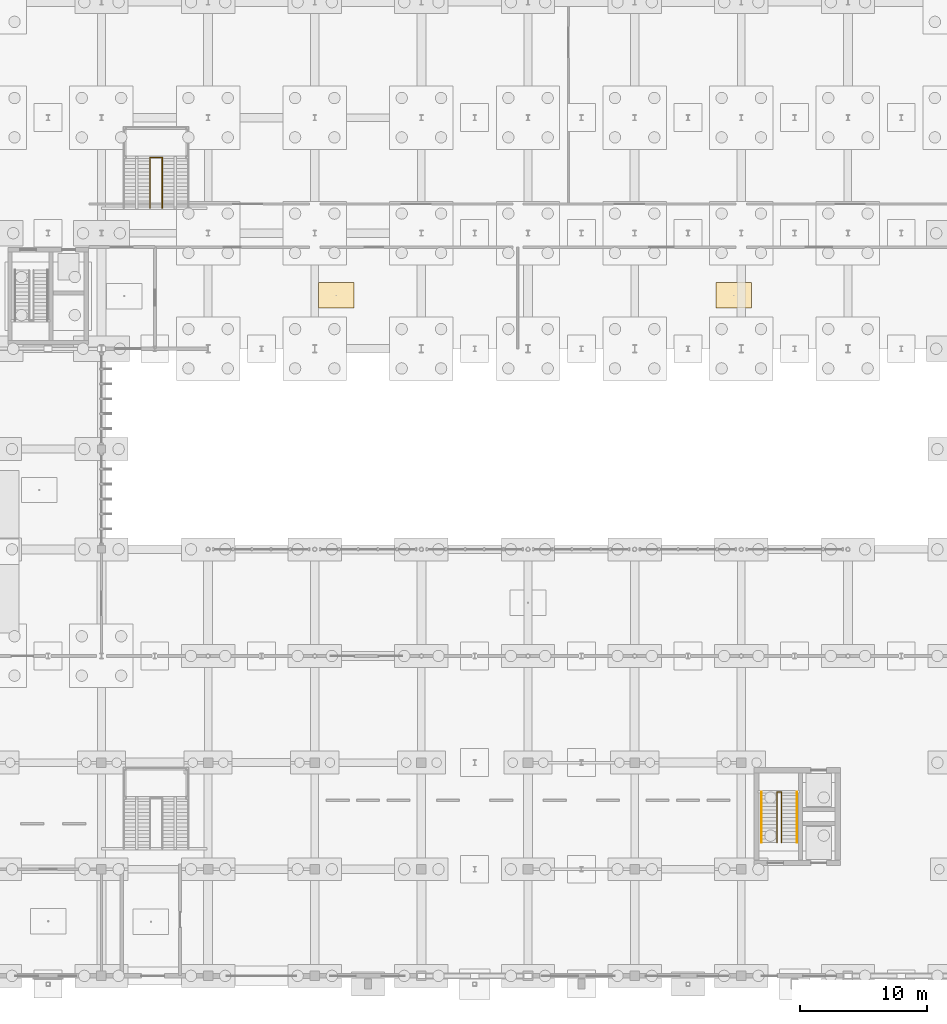
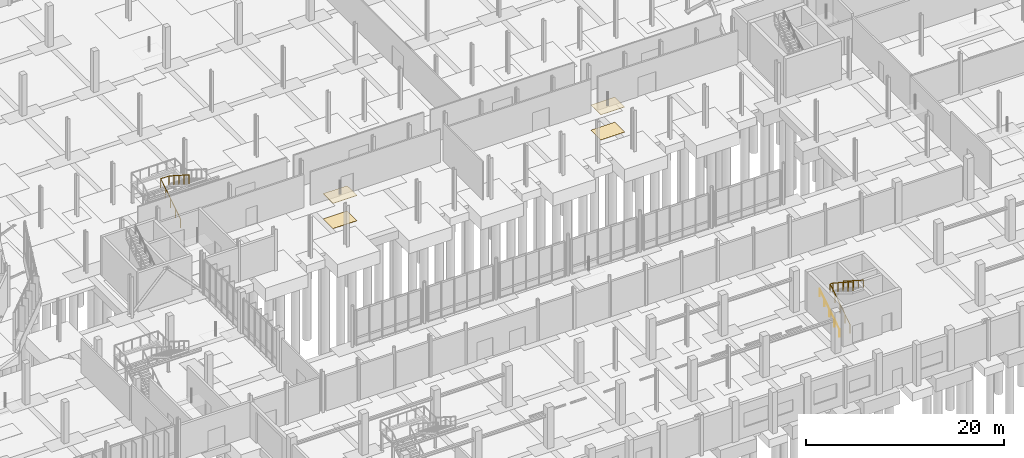
# One storey, part 111 of 119: 4 coverings, 4 railings.
"""IFC4 building model written with IfcOpenShell, lengths in metres."""

import ifcopenshell
import ifcopenshell.guid

model = None  # the IFC model being written
_history = None  # IfcOwnerHistory: only IFC2X3 demands one
_inside = {}  # id of a spatial element -> (the spatial element, [elements in it])
_under = {}  # id of a project, library or spatial element -> (it, [spatial elements below it])
_declared = {}  # id of a project -> (the project, [libraries it declares])
_typed = {}  # id of a type object -> (the type object, [elements of that type])
_made_of = {}  # id of a material, layer set ... -> (it, [elements and type objects made of it])


def new_model(schema):
    """Start an empty IFC model of exactly this schema.

    Asked for "IFC4X3", IfcOpenShell would pick the latest addendum, in which some entities
    have other attributes; the version numbers below select the first issue.
    IFC2X3 requires an IfcOwnerHistory on every rooted entity: one is made here for all.
    """
    global model, _history
    if schema == "IFC4X3":
        model = ifcopenshell.file(schema_version=(4, 3, 0, 0))
    else:
        model = ifcopenshell.file(schema=schema)
    _inside.clear()
    _under.clear()
    _declared.clear()
    _typed.clear()
    _made_of.clear()
    _history = None
    if model.schema == "IFC2X3":
        org = make("IfcOrganization", Name="unknown")
        user = make(
            "IfcPersonAndOrganization",
            ThePerson=make("IfcPerson", FamilyName="unknown"),
            TheOrganization=org,
        )
        app = make(
            "IfcApplication",
            ApplicationDeveloper=org,
            Version="unknown",
            ApplicationFullName="unknown",
            ApplicationIdentifier="unknown",
        )
        _history = make(
            "IfcOwnerHistory",
            OwningUser=user,
            OwningApplication=app,
            ChangeAction="ADDED",
            CreationDate=0,
        )
    return model


def make(cls, **values):
    """One entity of the class cls with the attributes given. An attribute that is None is left unset."""
    return model.create_entity(
        cls, **{name: value for name, value in values.items() if value is not None}
    )


def rooted(cls, **values):
    """An entity with a GlobalId (a new one), such as an element, a storey or a relation."""
    return make(cls, GlobalId=ifcopenshell.guid.new(), OwnerHistory=_history, **values)


def si_unit(unit_type, name, prefix=None):
    """IfcSIUnit, for example si_unit("LENGTHUNIT", "METRE", prefix="MILLI")."""
    return make("IfcSIUnit", UnitType=unit_type, Prefix=prefix, Name=name)


def derived_unit(unit_type, elements):
    """IfcDerivedUnit: a product of units, each with its exponent."""
    return make(
        "IfcDerivedUnit",
        Elements=[
            make("IfcDerivedUnitElement", Unit=unit, Exponent=power)
            for unit, power in elements
        ],
        UnitType=unit_type,
    )


def assignment(units):
    """IfcUnitAssignment: the units of a project."""
    return None if units is None else make("IfcUnitAssignment", Units=units)


def point(xyz):
    """IfcCartesianPoint."""
    return None if xyz is None else make("IfcCartesianPoint", Coordinates=xyz)


def direction(xyz):
    """IfcDirection."""
    return None if xyz is None else make("IfcDirection", DirectionRatios=xyz)


def frame(location, z_axis=None, x_axis=None):
    """IfcAxis2Placement3D, a coordinate frame: its origin and axes. An axis left out is left unset."""
    return make(
        "IfcAxis2Placement3D",
        Location=point(location),
        Axis=direction(z_axis),
        RefDirection=direction(x_axis),
    )


def frame_2d(location, x_axis=None):
    """IfcAxis2Placement2D, a coordinate frame in the plane: its origin and x axis."""
    return make(
        "IfcAxis2Placement2D", Location=point(location), RefDirection=direction(x_axis)
    )


def origin():
    """The frame at (0, 0, 0) with its axes left unset."""
    return frame((0.0, 0.0, 0.0))


def origin_2d():
    """The frame at (0, 0) in the plane with its x axis left unset."""
    return frame_2d((0.0, 0.0))


def place(relative_to, where):
    """IfcLocalPlacement: puts the frame where relative to a parent placement (None: the world)."""
    return make(
        "IfcLocalPlacement", PlacementRelTo=relative_to, RelativePlacement=where
    )


def context(
    kind, dimensions, precision=None, world=None, true_north=None, identifier=None
):
    """IfcGeometricRepresentationContext, for example the 3D "Model" context."""
    return make(
        "IfcGeometricRepresentationContext",
        ContextIdentifier=identifier,
        ContextType=kind,
        CoordinateSpaceDimension=dimensions,
        Precision=precision,
        WorldCoordinateSystem=world,
        TrueNorth=true_north,
    )


def subcontext(parent, identifier, kind, view, scale=None):
    """IfcGeometricRepresentationSubContext, for example "Body" below "Model"."""
    return make(
        "IfcGeometricRepresentationSubContext",
        ContextIdentifier=identifier,
        ContextType=kind,
        ParentContext=parent,
        TargetScale=scale,
        TargetView=view,
    )


def project(units=None, contexts=None):
    """IfcProject with its units and contexts."""
    return rooted(
        "IfcProject",
        Name="project",
        RepresentationContexts=contexts,
        UnitsInContext=assignment(units),
    )


def spatial(cls, under=None, at=None, **own):
    """A site, building, storey or space (cls), placed at a placement, below another one or the project."""
    s = rooted(cls, ObjectPlacement=at, **own)
    if under is not None:
        _under.setdefault(under.id(), (under, []))[1].append(s)
    return s


def polyline(points):
    """IfcPolyline through the points."""
    return make("IfcPolyline", Points=[point(p) for p in points])


def profile(cls, at=None, kind="AREA", **sizes):
    """A parametric profile (cls). Its sizes go by their IFC names, for example OverallWidth=200.0."""
    return make(cls, ProfileType=kind, Position=at, **sizes)


def circle(**sizes):
    """IfcCircleProfileDef."""
    return profile("IfcCircleProfileDef", **sizes)


def outline(outer, holes=None, kind="AREA"):
    """IfcArbitraryClosedProfileDef: a profile drawn as a closed curve; with holes, ...WithVoids."""
    if holes is None:
        return make("IfcArbitraryClosedProfileDef", ProfileType=kind, OuterCurve=outer)
    return make(
        "IfcArbitraryProfileDefWithVoids",
        ProfileType=kind,
        OuterCurve=outer,
        InnerCurves=holes,
    )


def extrude(swept, where, along, depth):
    """IfcExtrudedAreaSolid: the profile swept, set in the frame where, extruded along a direction by depth."""
    return make(
        "IfcExtrudedAreaSolid",
        SweptArea=swept,
        Position=where,
        ExtrudedDirection=direction(along),
        Depth=depth,
    )


def shape(context_of_items, identifier, shape_type, items):
    """IfcShapeRepresentation: the items that make up one representation, for example the "Body"."""
    return make(
        "IfcShapeRepresentation",
        ContextOfItems=context_of_items,
        RepresentationIdentifier=identifier,
        RepresentationType=shape_type,
        Items=items,
    )


def material(Name=None, Category=None):
    """IfcMaterial."""
    return make("IfcMaterial", Name=Name, Category=Category)


def layer(
    of_material, thickness, ventilated=None, Name=None, Category=None, Priority=None
):
    """IfcMaterialLayer: one layer of a wall or slab, of a material (None: an air gap)."""
    return make(
        "IfcMaterialLayer",
        Material=of_material,
        LayerThickness=thickness,
        IsVentilated=ventilated,
        Name=Name,
        Category=Category,
        Priority=Priority,
    )


def layer_set(layers, Name=None):
    """IfcMaterialLayerSet."""
    return make("IfcMaterialLayerSet", MaterialLayers=layers, LayerSetName=Name)


def made_of(thing, what):
    """Note that an element or type object is made of a material, layer set ...; save() writes the relation."""
    if what is not None:
        _made_of.setdefault(what.id(), (what, []))[1].append(thing)
    return thing


def type_object(cls, material=None, **own):
    """A type object (cls), such as IfcWallType, which elements share."""
    return made_of(rooted(cls, **own), material)


def element(
    cls,
    number,
    at=None,
    inside=None,
    cuts=None,
    type_object=None,
    material=None,
    context=None,
    identifier="Body",
    shape_type=None,
    held_by="IfcProductDefinitionShape",
    body=None,
    shapes=None,
    **own,
):
    """One element of the class cls, such as IfcWall. Its Tag is "e" and its number.

    at: its placement. inside: the storey or other place that contains it. cuts: it is an
    opening in that element (IfcRelVoidsElement). A single representation is given by context,
    identifier, shape_type and body (its items); several are given by shapes. held_by: the class
    of the entity that holds the representations. save() writes the other relations.
    """
    e = rooted(cls, Tag="e%d" % number, ObjectPlacement=at, **own)
    if body is not None:
        shapes = [shape(context, identifier, shape_type, body)]
    if shapes is not None:
        e.Representation = make(held_by, Representations=shapes)
    if inside is not None:
        _inside.setdefault(inside.id(), (inside, []))[1].append(e)
    if cuts is not None:
        rooted(
            "IfcRelVoidsElement", RelatingBuildingElement=cuts, RelatedOpeningElement=e
        )
    if type_object is not None:
        _typed.setdefault(type_object.id(), (type_object, []))[1].append(e)
    return made_of(e, material)


def aggregate(whole, parts):
    """IfcRelAggregates: a whole, such as a stair, and the parts it consists of."""
    return rooted("IfcRelAggregates", RelatingObject=whole, RelatedObjects=parts)


def save(model, path):
    """Write the relations noted so far, then the file.

    IfcRelAggregates (storeys below a building ...), IfcRelContainedInSpatialStructure (elements
    in a storey), IfcRelDefinesByType, IfcRelAssociatesMaterial and IfcRelDeclares: one each for
    every whole, place, type object, material and project.
    """
    for whole, parts in _under.values():
        aggregate(whole, parts)
    for where, things in _inside.values():
        rooted(
            "IfcRelContainedInSpatialStructure",
            RelatedElements=things,
            RelatingStructure=where,
        )
    for kind, things in _typed.values():
        rooted("IfcRelDefinesByType", RelatedObjects=things, RelatingType=kind)
    for what, things in _made_of.values():
        rooted("IfcRelAssociatesMaterial", RelatedObjects=things, RelatingMaterial=what)
    for by, libraries in _declared.values():
        rooted("IfcRelDeclares", RelatingContext=by, RelatedDefinitions=libraries)
    model.write(path)


model = new_model("IFC4")

# Units and contexts
model_context = context("Model", 3, precision=1e-05, world=origin(), true_north=direction((0.0, 1.0)))
body_context = subcontext(model_context, "Body", "Model", "MODEL_VIEW")
ifc_project = project(units=[si_unit("LENGTHUNIT", "METRE"), si_unit("AREAUNIT", "SQUARE_METRE"), si_unit("VOLUMEUNIT", "CUBIC_METRE"), si_unit("PLANEANGLEUNIT", "RADIAN"), si_unit("MASSUNIT", "GRAM", prefix="KILO"), derived_unit("THERMALTRANSMITTANCEUNIT", [(si_unit("MASSUNIT", "GRAM", prefix="KILO"), 1), (si_unit("TIMEUNIT", "SECOND"), -3), (si_unit("THERMODYNAMICTEMPERATUREUNIT", "KELVIN"), -1)])], contexts=[model_context])

# Site, building, storey
site_placement = place(None, origin())
site = spatial("IfcSite", under=ifc_project, at=site_placement, CompositionType="ELEMENT")
building_placement = place(site_placement, origin())
building = spatial("IfcBuilding", under=site, at=building_placement, Name="Makaiwela Harbour Ferry Terminal", CompositionType="ELEMENT")
storey_placement = place(building_placement, origin())
storey = spatial("IfcBuildingStorey", under=building, at=storey_placement, Name="L00", CompositionType="ELEMENT", Elevation=0.0)

# Coverings
ifc_material_1 = material(Name="Thermally modified Accoya timber acoustic slat ceiling", Category="wood")
ifc_layer_1 = layer(ifc_material_1, 0.0400390625)
ifc_layer_set_1 = layer_set([ifc_layer_1], Name="Thermally modified Accoya timber acoustic slat ceiling")
covering_type_1 = type_object("IfcCoveringType", Name="INT-COV-CEIL", PredefinedType="CEILING", material=ifc_layer_set_1)
covering_1_placement = place(storey_placement, frame((0.0, 0.0, 3.10009765625)))
element("IfcCovering", 1, at=covering_1_placement, inside=storey, type_object=covering_type_1, Name="Acoustic Timber Ceiling CLG-018", PredefinedType="CEILING", context=body_context, shape_type="SweptSolid", body=[
    extrude(outline(polyline([(88.5, 52.60009765625), (91.300048828125, 52.60009765625), (91.300048828125, 54.60009765625), (88.5, 54.60009765625), (88.5, 52.60009765625)])), origin(), (0.0, 0.0, 1.0), 0.039794921875),
])
covering_2_placement = place(storey_placement, frame((0.0, 0.0, 3.10009765625)))
element("IfcCovering", 2, at=covering_2_placement, inside=storey, type_object=covering_type_1, Name="Acoustic Timber Ceiling CLG-019", PredefinedType="CEILING", context=body_context, shape_type="SweptSolid", body=[
    extrude(outline(polyline([(119.800048828125, 52.60009765625), (122.60009765625, 52.60009765625), (122.60009765625, 54.60009765625), (119.800048828125, 54.60009765625), (119.800048828125, 52.60009765625)])), origin(), (0.0, 0.0, 1.0), 0.039794921875),
])
ifc_material_2 = material(Name="Honed coral-aggregate epoxy terrazzo flooring", Category="concrete")
ifc_layer_2 = layer(ifc_material_2, 0.02490234375)
ifc_layer_set_2 = layer_set([ifc_layer_2], Name="Honed coral-aggregate epoxy terrazzo flooring")
covering_type_2 = type_object("IfcCoveringType", Name="INT-COV-FLR", PredefinedType="FLOORING", material=ifc_layer_set_2)
covering_3_placement = place(storey_placement, origin())
element("IfcCovering", 3, at=covering_3_placement, inside=storey, type_object=covering_type_2, Name="Terrazzo Flooring FLG-018", PredefinedType="FLOORING", context=body_context, shape_type="SweptSolid", body=[
    extrude(outline(polyline([(88.5, 52.60009765625), (91.300048828125, 52.60009765625), (91.300048828125, 54.60009765625), (88.5, 54.60009765625), (88.5, 52.60009765625)])), origin(), (0.0, 0.0, 1.0), 0.02490234375),
])
covering_4_placement = place(storey_placement, origin())
element("IfcCovering", 4, at=covering_4_placement, inside=storey, type_object=covering_type_2, Name="Terrazzo Flooring FLG-019", PredefinedType="FLOORING", context=body_context, shape_type="SweptSolid", body=[
    extrude(outline(polyline([(119.800048828125, 52.60009765625), (122.60009765625, 52.60009765625), (122.60009765625, 54.60009765625), (119.800048828125, 54.60009765625), (119.800048828125, 52.60009765625)])), origin(), (0.0, 0.0, 1.0), 0.02490234375),
])

# Railings
ifc_material_3 = material(Name="Marine grade 316L brushed stainless steel", Category="steel")
railing_type_1 = type_object("IfcRailingType", Name="INT-RL-GRD110", PredefinedType="GUARDRAIL", material=ifc_material_3)
railing_1_placement = place(storey_placement, frame((124.617919921875, 10.5, 0.0)))
element("IfcRailing", 5, at=railing_1_placement, inside=storey, type_object=railing_type_1, Name="Stair well guardrail RL-0085", PredefinedType="GUARDRAIL", context=body_context, shape_type="SweptSolid", body=[
    extrude(circle(Radius=0.02392578125, at=origin_2d()), frame((0.0, 0.0, 1.09619140625), z_axis=(0.0, 0.842611129269, 0.538522501696), x_axis=(-1.0, 0.0, 0.0)), (0.0, 0.0, 1.0), 4.7353515625),
    extrude(circle(Radius=0.02392578125, at=origin_2d()), frame((0.0, 3.989990234375, 3.64599609375), z_axis=(1.0, 0.0, 0.0), x_axis=(0.0, 1.0, 0.0)), (0.0, 0.0, 1.0), 0.340087890625),
    extrude(circle(Radius=0.02392578125, at=origin_2d()), frame((0.340087890625, 3.989990234375, 3.64599609375), z_axis=(0.0, -0.842611129269, 0.538522501696), x_axis=(1.0, 0.0, 0.0)), (0.0, 0.0, 1.0), 4.7353515625),
    extrude(circle(Radius=0.02099609375, at=origin_2d()), origin(), (0.0, 0.0, 1.0), 1.072021484375),
    extrude(circle(Radius=0.02099609375, at=origin_2d()), frame((0.0, 0.99755859375, 0.637451171875)), (0.0, 0.0, 1.0), 1.072021484375),
    extrude(circle(Radius=0.02099609375, at=origin_2d()), frame((0.0, 1.9951171875, 1.27490234375)), (0.0, 0.0, 1.0), 1.072021484375),
    extrude(circle(Radius=0.02099609375, at=origin_2d()), frame((0.0, 2.992431640625, 1.91259765625)), (0.0, 0.0, 1.0), 1.072021484375),
    extrude(circle(Radius=0.02099609375, at=origin_2d()), frame((0.0, 3.989990234375, 2.550048828125)), (0.0, 0.0, 1.0), 1.072021484375),
    extrude(circle(Radius=0.02099609375, at=origin_2d()), frame((0.340087890625, 3.989990234375, 2.550048828125)), (0.0, 0.0, 1.0), 1.072021484375),
    extrude(circle(Radius=0.02099609375, at=origin_2d()), frame((0.340087890625, 2.992431640625, 3.1875)), (0.0, 0.0, 1.0), 1.072021484375),
    extrude(circle(Radius=0.02099609375, at=origin_2d()), frame((0.340087890625, 1.9951171875, 3.8251953125)), (0.0, 0.0, 1.0), 1.072021484375),
    extrude(circle(Radius=0.02099609375, at=origin_2d()), frame((0.340087890625, 0.99755859375, 4.462646484375)), (0.0, 0.0, 1.0), 1.072021484375),
    extrude(circle(Radius=0.02099609375, at=origin_2d()), frame((0.340087890625, 0.0, 5.10009765625)), (0.0, 0.0, 1.0), 1.072021484375),
])
railing_2_placement = place(storey_placement, frame((75.2099609375, 60.47998046875, 0.0)))
element("IfcRailing", 6, at=railing_2_placement, inside=storey, type_object=railing_type_1, Name="Stair well guardrail RL-0093", PredefinedType="GUARDRAIL", context=body_context, shape_type="SweptSolid", body=[
    extrude(circle(Radius=0.02392578125, at=origin_2d()), frame((0.0, 0.0, 1.09619140625), z_axis=(0.0, 0.842611129269, 0.538522501696), x_axis=(-1.0, 0.0, 0.0)), (0.0, 0.0, 1.0), 4.7353515625),
    extrude(circle(Radius=0.02392578125, at=origin_2d()), frame((0.0, 3.989990234375, 3.64599609375), z_axis=(1.0, 0.0, 0.0), x_axis=(0.0, 1.0, 0.0)), (0.0, 0.0, 1.0), 0.97998046875),
    extrude(circle(Radius=0.02392578125, at=origin_2d()), frame((0.97998046875, 3.989990234375, 3.64599609375), z_axis=(0.0, -0.842611129269, 0.538522501696), x_axis=(1.0, 0.0, 0.0)), (0.0, 0.0, 1.0), 4.7353515625),
    extrude(circle(Radius=0.02099609375, at=origin_2d()), origin(), (0.0, 0.0, 1.0), 1.072021484375),
    extrude(circle(Radius=0.02099609375, at=origin_2d()), frame((0.0, 0.99755859375, 0.637451171875)), (0.0, 0.0, 1.0), 1.072021484375),
    extrude(circle(Radius=0.02099609375, at=origin_2d()), frame((0.0, 1.9951171875, 1.27490234375)), (0.0, 0.0, 1.0), 1.072021484375),
    extrude(circle(Radius=0.02099609375, at=origin_2d()), frame((0.0, 2.992431640625, 1.91259765625)), (0.0, 0.0, 1.0), 1.072021484375),
    extrude(circle(Radius=0.02099609375, at=origin_2d()), frame((0.0, 3.989990234375, 2.550048828125)), (0.0, 0.0, 1.0), 1.072021484375),
    extrude(circle(Radius=0.02099609375, at=origin_2d()), frame((0.97998046875, 3.989990234375, 2.550048828125)), (0.0, 0.0, 1.0), 1.072021484375),
    extrude(circle(Radius=0.02099609375, at=origin_2d()), frame((0.97998046875, 2.992431640625, 3.1875)), (0.0, 0.0, 1.0), 1.072021484375),
    extrude(circle(Radius=0.02099609375, at=origin_2d()), frame((0.97998046875, 1.9951171875, 3.8251953125)), (0.0, 0.0, 1.0), 1.072021484375),
    extrude(circle(Radius=0.02099609375, at=origin_2d()), frame((0.97998046875, 0.99755859375, 4.462646484375)), (0.0, 0.0, 1.0), 1.072021484375),
    extrude(circle(Radius=0.02099609375, at=origin_2d()), frame((0.97998046875, 0.0, 5.10009765625)), (0.0, 0.0, 1.0), 1.072021484375),
])
railing_type_2 = type_object("IfcRailingType", Name="INT-RL-HND090", PredefinedType="HANDRAIL", material=ifc_material_3)
railing_3_placement = place(storey_placement, frame((123.39990234375, 10.5, 0.0)))
element("IfcRailing", 7, at=railing_3_placement, inside=storey, type_object=railing_type_2, Name="Stair wall handrail RL-0087", PredefinedType="HANDRAIL", context=body_context, shape_type="SweptSolid", body=[
    extrude(circle(Radius=0.02392578125, at=origin_2d()), frame((0.0, 0.0, 0.89111328125), z_axis=(0.0, 0.842611129269, 0.538522501696), x_axis=(-1.0, 0.0, 0.0)), (0.0, 0.0, 1.0), 4.7353515625),
    extrude(circle(Radius=0.02099609375, at=origin_2d()), origin(), (0.0, 0.0, 1.0), 0.866943359375),
    extrude(circle(Radius=0.02099609375, at=origin_2d()), frame((0.0, 0.99755859375, 0.637451171875)), (0.0, 0.0, 1.0), 0.866943359375),
    extrude(circle(Radius=0.02099609375, at=origin_2d()), frame((0.0, 1.9951171875, 1.27490234375)), (0.0, 0.0, 1.0), 0.866943359375),
    extrude(circle(Radius=0.02099609375, at=origin_2d()), frame((0.0, 2.992431640625, 1.91259765625)), (0.0, 0.0, 1.0), 0.866943359375),
    extrude(circle(Radius=0.02099609375, at=origin_2d()), frame((0.0, 3.989990234375, 2.550048828125)), (0.0, 0.0, 1.0), 0.866943359375),
])
railing_4_placement = place(storey_placement, frame((126.176025390625, 14.489990234375, 2.550048828125)))
element("IfcRailing", 8, at=railing_4_placement, inside=storey, type_object=railing_type_2, Name="Stair upper handrail RL-0088", PredefinedType="HANDRAIL", context=body_context, shape_type="SweptSolid", body=[
    extrude(circle(Radius=0.02392578125, at=origin_2d()), frame((0.0, 0.0, 0.89111328125), z_axis=(0.0, -0.842611129269, 0.538522501696), x_axis=(1.0, 0.0, 0.0)), (0.0, 0.0, 1.0), 4.7353515625),
    extrude(circle(Radius=0.02099609375, at=origin_2d()), origin(), (0.0, 0.0, 1.0), 0.866943359375),
    extrude(circle(Radius=0.02099609375, at=origin_2d()), frame((0.0, -0.99755859375, 0.637451171875)), (0.0, 0.0, 1.0), 0.866943359375),
    extrude(circle(Radius=0.02099609375, at=origin_2d()), frame((0.0, -1.9951171875, 1.27490234375)), (0.0, 0.0, 1.0), 0.866943359375),
    extrude(circle(Radius=0.02099609375, at=origin_2d()), frame((0.0, -2.992431640625, 1.91259765625)), (0.0, 0.0, 1.0), 0.866943359375),
    extrude(circle(Radius=0.02099609375, at=origin_2d()), frame((0.0, -3.989990234375, 2.550048828125)), (0.0, 0.0, 1.0), 0.866943359375),
])

save(model, "model.ifc")
